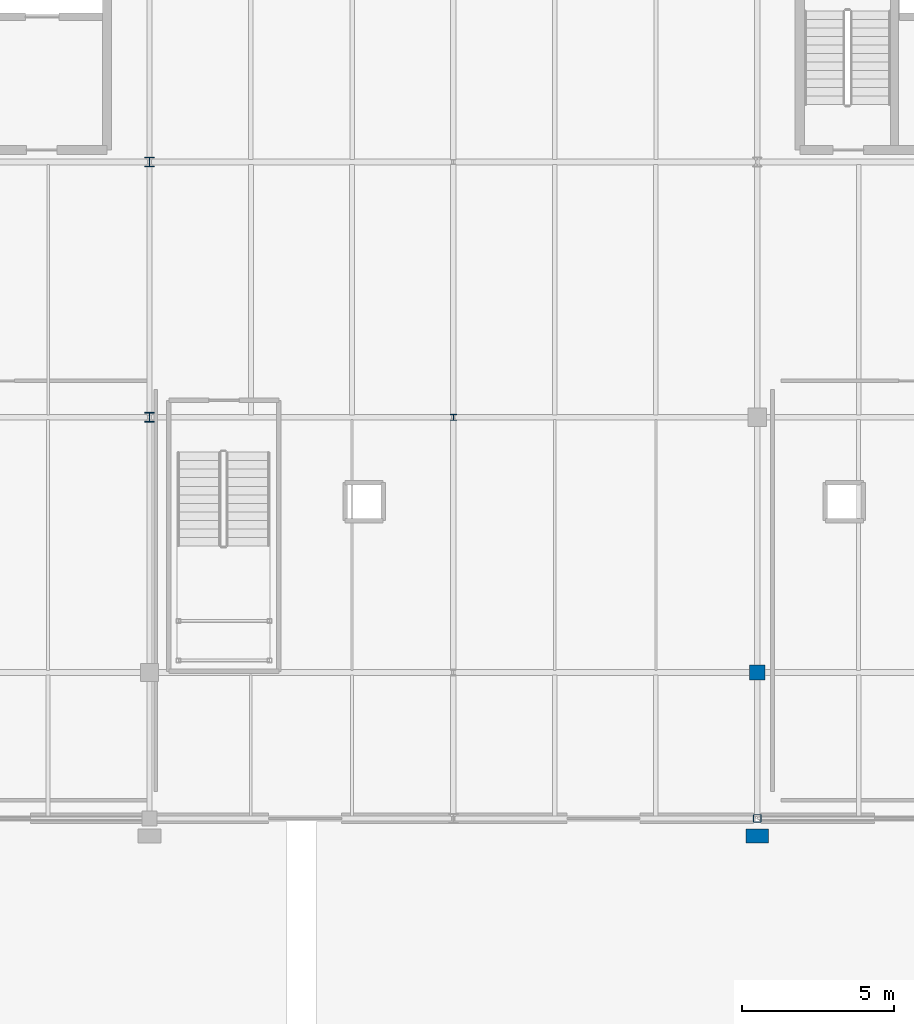
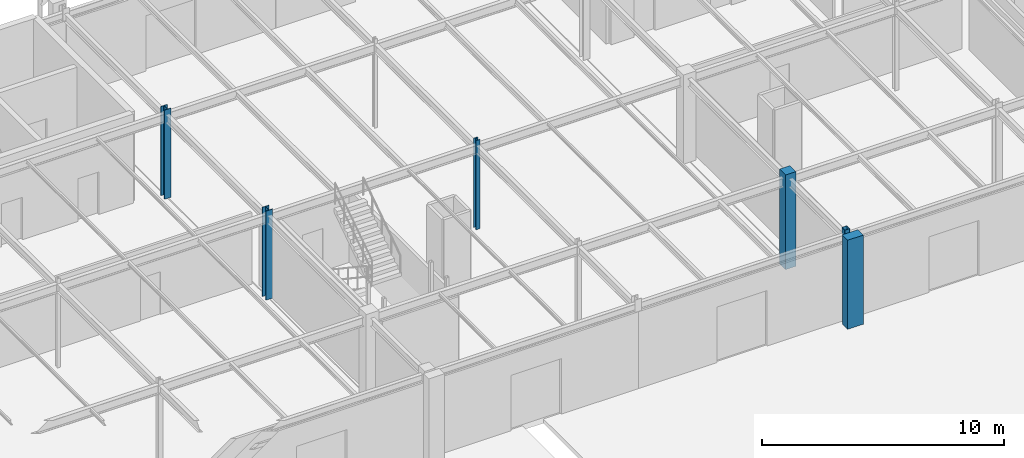
# One storey, part 24 of 119: 6 columns.
"""IFC4 building model written with IfcOpenShell, lengths in metres."""

from ifc_helpers import new_model, si_unit, derived_unit, direction, frame, origin, origin_2d_with_axis, place, context, subcontext, project, spatial, rectangle, hollow_rectangle, i_section, extrude, material, material_profile, profile_set, type_object, element, save


model = new_model("IFC4")

# Units and contexts
model_context = context("Model", 3, precision=1e-05, world=origin(), true_north=direction((0.0, 1.0)))
body_context = subcontext(model_context, "Body", "Model", "MODEL_VIEW")
ifc_project = project(units=[si_unit("LENGTHUNIT", "METRE"), si_unit("AREAUNIT", "SQUARE_METRE"), si_unit("VOLUMEUNIT", "CUBIC_METRE"), si_unit("PLANEANGLEUNIT", "RADIAN"), si_unit("MASSUNIT", "GRAM", prefix="KILO"), derived_unit("THERMALTRANSMITTANCEUNIT", [(si_unit("POWERUNIT", "WATT"), 1), (si_unit("LENGTHUNIT", "METRE"), -2), (si_unit("THERMODYNAMICTEMPERATUREUNIT", "KELVIN"), -1)])], contexts=[model_context])

# Site, building, storey
site_placement = place(None, origin())
site = spatial("IfcSite", under=ifc_project, at=site_placement, CompositionType="ELEMENT")
building_placement = place(site_placement, origin())
building = spatial("IfcBuilding", under=site, at=building_placement, Name="Cinnabar Yard Market Hall", CompositionType="ELEMENT")
storey_placement = place(building_placement, origin())
storey = spatial("IfcBuildingStorey", under=building, at=storey_placement, Name="L00", CompositionType="ELEMENT", Elevation=0.0)

# Columns
ifc_material_1 = material(Name="Steel Grade 350 (350 MPa)", Category="steel")
ifc_material_profile_1 = material_profile(ifc_material_1, i_section(OverallWidth=0.311279296875, OverallDepth=0.3271484375, WebThickness=0.015625, FlangeThickness=0.02490234375, FilletRadius=0.0166015625, at=origin_2d_with_axis()), Name="310UC158")
ifc_profile_set_1 = profile_set([ifc_material_profile_1], Name="Steel Grade 350 (350 MPa)")
column_type_1 = type_object("IfcColumnType", Name="COL-C06", PredefinedType="COLUMN", material=ifc_profile_set_1)
column_1_placement = place(storey_placement, frame((106.0, 121.199951171875, 0.0), z_axis=(0.0, 0.0, 1.0), x_axis=(1.0, 0.0, 0.0)))
element("IfcColumn", 1, at=column_1_placement, inside=storey, type_object=column_type_1, Name="Wing Column V3-05-03 L00", PredefinedType="COLUMN", context=body_context, shape_type="SweptSolid", body=[
    extrude(i_section(OverallWidth=0.311279296875, OverallDepth=0.3271484375, WebThickness=0.015625, FlangeThickness=0.02490234375, FilletRadius=0.0166015625, at=origin_2d_with_axis()), origin(), (0.0, 0.0, 1.0), 4.5),
])
ifc_material_profile_2 = material_profile(ifc_material_1, i_section(OverallWidth=0.30908203125, OverallDepth=0.320556640625, WebThickness=0.013916015625, FlangeThickness=0.021728515625, FilletRadius=0.0166015625, at=origin_2d_with_axis()), Name="310UC137")
ifc_profile_set_2 = profile_set([ifc_material_profile_2], Name="Steel Grade 350 (350 MPa)")
column_type_2 = type_object("IfcColumnType", Name="COL-C07", PredefinedType="COLUMN", material=ifc_profile_set_2)
column_2_placement = place(storey_placement, frame((106.0, 129.60009765625, 0.0), z_axis=(0.0, 0.0, 1.0), x_axis=(1.0, 0.0, 0.0)))
element("IfcColumn", 2, at=column_2_placement, inside=storey, type_object=column_type_2, Name="Wing Column V3-05-04 L00", PredefinedType="COLUMN", context=body_context, shape_type="SweptSolid", body=[
    extrude(i_section(OverallWidth=0.30908203125, OverallDepth=0.320556640625, WebThickness=0.013916015625, FlangeThickness=0.021728515625, FilletRadius=0.0166015625, at=origin_2d_with_axis()), origin(), (0.0, 0.0, 1.0), 4.5),
])
ifc_material_2 = material(Name="Steel Grade 300 (300 MPa)", Category="steel")
ifc_material_profile_3 = material_profile(ifc_material_2, i_section(OverallWidth=0.205078125, OverallDepth=0.209716796875, WebThickness=0.00927734375, FlangeThickness=0.01416015625, FilletRadius=0.011474609375, at=origin_2d_with_axis()), Name="200UC59.5")
ifc_profile_set_3 = profile_set([ifc_material_profile_3], Name="Steel Grade 300 (300 MPa)")
column_type_3 = type_object("IfcColumnType", Name="COL-C17", PredefinedType="COLUMN", material=ifc_profile_set_3)
column_3_placement = place(storey_placement, frame((116.0, 121.199951171875, 0.0), z_axis=(0.0, 0.0, 1.0), x_axis=(1.0, 0.0, 0.0)))
element("IfcColumn", 3, at=column_3_placement, inside=storey, type_object=column_type_3, Name="Wing Column V3-06-03 L00", PredefinedType="COLUMN", context=body_context, shape_type="SweptSolid", body=[
    extrude(i_section(OverallWidth=0.205078125, OverallDepth=0.209716796875, WebThickness=0.00927734375, FlangeThickness=0.01416015625, FilletRadius=0.011474609375, at=origin_2d_with_axis()), origin(), (0.0, 0.0, 1.0), 4.5),
])
ifc_material_3 = material(Name="Cold-formed steel C350L0", Category="steel")
ifc_material_profile_4 = material_profile(ifc_material_3, hollow_rectangle(XDim=0.25, YDim=0.25, WallThickness=0.009033203125, InnerFilletRadius=0.009033203125, OuterFilletRadius=0.01806640625, at=origin_2d_with_axis()), Name="250x250x9.0SHS")
ifc_profile_set_4 = profile_set([ifc_material_profile_4], Name="Cold-formed steel C350L0")
column_type_4 = type_object("IfcColumnType", Name="COL-C20E", PredefinedType="COLUMN", material=ifc_profile_set_4)
column_4_placement = place(storey_placement, frame((126.0, 108.0, -0.280029296875), z_axis=(0.0, 0.0, 1.0), x_axis=(1.0, 0.0, 0.0)))
element("IfcColumn", 4, at=column_4_placement, inside=storey, type_object=column_type_4, Name="Wing Column V3-07-01 L00", PredefinedType="COLUMN", context=body_context, shape_type="SweptSolid", body=[
    extrude(hollow_rectangle(XDim=0.25, YDim=0.25, WallThickness=0.009033203125, InnerFilletRadius=0.009033203125, OuterFilletRadius=0.01806640625, at=origin_2d_with_axis()), origin(), (0.0, 0.0, 1.0), 4.780029296875),
])
ifc_material_4 = material(Name="Concrete 40 MPa", Category="concrete")
ifc_material_profile_5 = material_profile(ifc_material_4, rectangle(XDim=0.75, YDim=0.449951171875, at=origin_2d_with_axis()), Name="RC-750x450")
ifc_profile_set_5 = profile_set([ifc_material_profile_5], Name="Concrete 40 MPa")
column_type_5 = type_object("IfcColumnType", Name="COL-PIL1E", PredefinedType="PILASTER", material=ifc_profile_set_5)
column_5_placement = place(storey_placement, frame((126.0, 107.419921875, 0.0), z_axis=(0.0, 0.0, 1.0), x_axis=(1.0, 0.0, 0.0)))
element("IfcColumn", 5, at=column_5_placement, inside=storey, type_object=column_type_5, Name="Engaged Pilaster 05 L00", PredefinedType="PILASTER", context=body_context, shape_type="SweptSolid", body=[
    extrude(rectangle(XDim=0.75, YDim=0.449951171875, at=origin_2d_with_axis()), origin(), (0.0, 0.0, 1.0), 4.5),
])
ifc_material_profile_6 = material_profile(ifc_material_4, rectangle(XDim=0.5, YDim=0.5, at=origin_2d_with_axis()), Name="RC-500x500")
ifc_profile_set_6 = profile_set([ifc_material_profile_6], Name="Concrete 40 MPa")
column_type_6 = type_object("IfcColumnType", Name="COL-RC1", PredefinedType="COLUMN", material=ifc_profile_set_6)
column_6_placement = place(storey_placement, frame((126.0, 112.800048828125, -0.280029296875), z_axis=(0.0, 0.0, 1.0), x_axis=(1.0, 0.0, 0.0)))
element("IfcColumn", 6, at=column_6_placement, inside=storey, type_object=column_type_6, Name="Wing Column V3-07-02 L00", PredefinedType="COLUMN", context=body_context, shape_type="SweptSolid", body=[
    extrude(rectangle(XDim=0.5, YDim=0.5, at=origin_2d_with_axis()), origin(), (0.0, 0.0, 1.0), 4.780029296875),
])

save(model, "model.ifc")
